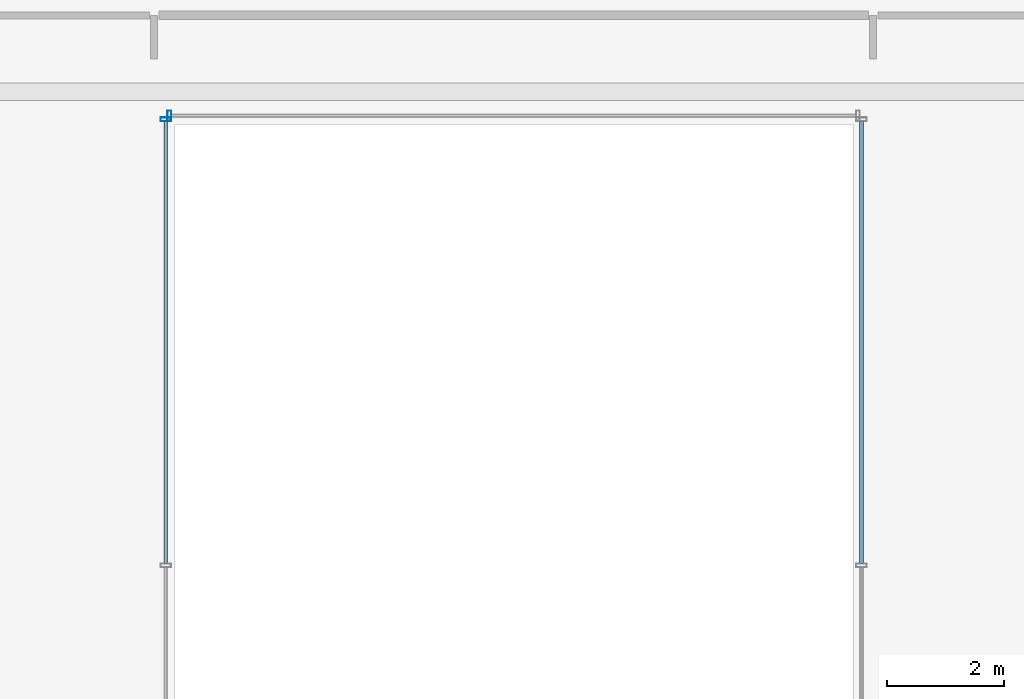
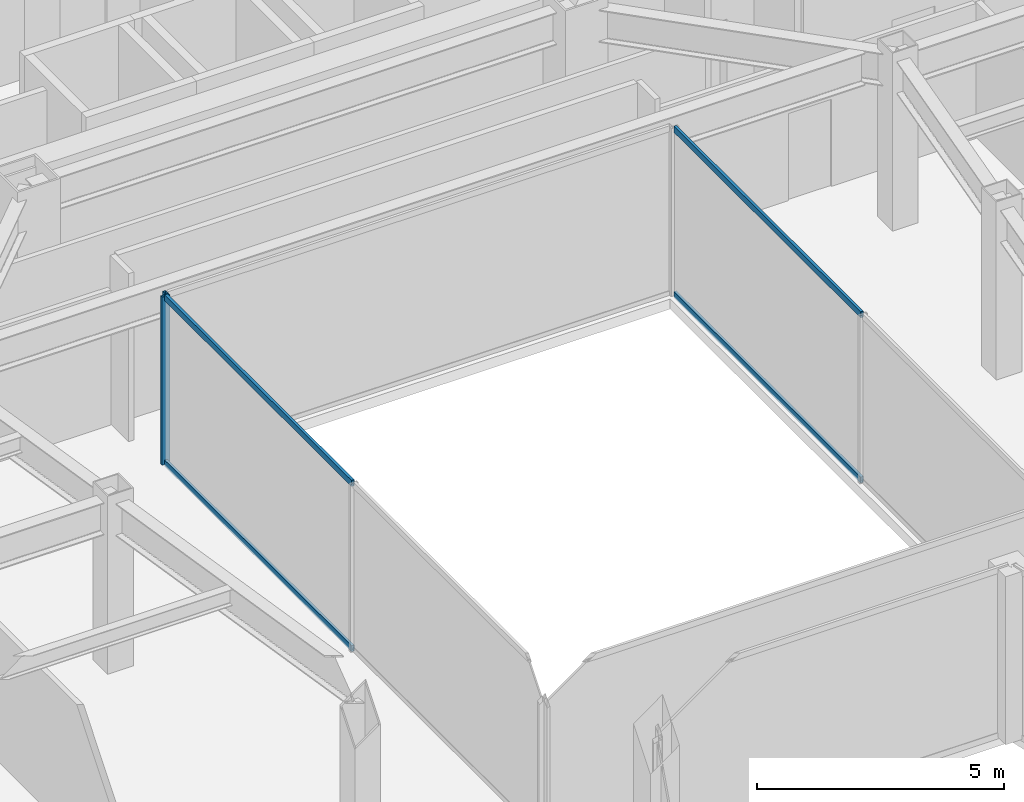
# One storey, part 12 of 37: 6 members, 3 elements without a shape of their own.
"""IFC4 building model written with IfcOpenShell, lengths in metres."""

from ifc_helpers import new_model, si_unit, direction, frame, origin, origin_2d, place, context, subcontext, project, spatial, hollow_rectangle, extrude, material, material_profile, profile_set, type_object, element, aggregate, save


model = new_model("IFC4")

# Units and contexts
model_context = context("Model", 3, precision=1e-05, world=origin(), true_north=direction((0.0, 1.0)))
body_context = subcontext(model_context, "Body", "Model", "MODEL_VIEW")
ifc_project = project(units=[si_unit("LENGTHUNIT", "METRE"), si_unit("AREAUNIT", "SQUARE_METRE"), si_unit("VOLUMEUNIT", "CUBIC_METRE"), si_unit("PLANEANGLEUNIT", "RADIAN"), si_unit("MASSUNIT", "GRAM", prefix="KILO")], contexts=[model_context])

# Site, building, storey
site_placement = place(None, origin())
site = spatial("IfcSite", under=ifc_project, at=site_placement, CompositionType="ELEMENT")
building_placement = place(site_placement, origin())
building = spatial("IfcBuilding", under=site, at=building_placement, Name="Saevonmaru Cultural Tower", CompositionType="ELEMENT")
storey_placement = place(building_placement, frame((0.0, 0.0, 110.39990234375)))
storey = spatial("IfcBuildingStorey", under=building, at=storey_placement, Name="L23", CompositionType="ELEMENT", Elevation=110.39990234375)

# Curtain wall, member
ifc_material = material(Name="Satin Bronze Anodised Aluminium", Category="aluminium")
curtain_wall_type = type_object("IfcCurtainWallType", Name="CW-ATR-GLZ", PredefinedType="NOTDEFINED", material=ifc_material)
curtain_wall_1_placement = place(storey_placement, origin())
curtain_wall_1 = element("IfcCurtainWall", 1, at=curtain_wall_1_placement, inside=storey, type_object=curtain_wall_type, Name="L23 Vertical Atrium Glazed Smoke Screen 3", PredefinedType="NOTDEFINED")
ifc_material_profile_1 = material_profile(ifc_material, hollow_rectangle(XDim=0.06494140625, YDim=0.179931640625, WallThickness=0.00390625, at=origin_2d()), Name="ALU-MULL-180x65x4")
ifc_profile_set_1 = profile_set([ifc_material_profile_1], Name="Satin Bronze Anodised Aluminium")
member_type_1 = type_object("IfcMemberType", Name="ML-CW-INT-180x65", PredefinedType="MULLION", material=ifc_profile_set_1)
member_1_placement = place(storey_placement, frame((24.110107421875, 37.6298828125, 0.0), z_axis=(0.0, 0.0, 1.0), x_axis=(-1.0, 0.0, 0.0)))
member_1 = element("IfcMember", 2, at=member_1_placement, type_object=member_type_1, Name="CW-ATR-L23-3 mullion 2", PredefinedType="MULLION", context=body_context, shape_type="SweptSolid", body=[
    extrude(hollow_rectangle(XDim=0.06494140625, YDim=0.179931640625, WallThickness=0.00390625, at=origin_2d()), origin(), (0.0, 0.0, 1.0), 4.150146484375),
])
aggregate(curtain_wall_1, [member_1])

curtain_wall_2_placement = place(storey_placement, origin())
curtain_wall_2 = element("IfcCurtainWall", 3, at=curtain_wall_2_placement, inside=storey, type_object=curtain_wall_type, Name="L23 Vertical Atrium Glazed Smoke Screen 4", PredefinedType="NOTDEFINED")
member_2_placement = place(storey_placement, frame((24.050048828125, 37.570068359375, 0.0), z_axis=(0.0, 0.0, 1.0), x_axis=(0.0, -1.0, 0.0)))
member_2 = element("IfcMember", 4, at=member_2_placement, type_object=member_type_1, Name="CW-ATR-L23-4 mullion 1", PredefinedType="MULLION", context=body_context, shape_type="SweptSolid", body=[
    extrude(hollow_rectangle(XDim=0.06494140625, YDim=0.179931640625, WallThickness=0.00390625, at=origin_2d()), origin(), (0.0, 0.0, 1.0), 4.150146484375),
])

# Curtain wall, members
curtain_wall_3_placement = place(storey_placement, origin())
curtain_wall_3 = element("IfcCurtainWall", 5, at=curtain_wall_3_placement, inside=storey, type_object=curtain_wall_type, Name="L23 Vertical Atrium Glazed Smoke Screen 2", PredefinedType="NOTDEFINED")
ifc_material_profile_2 = material_profile(ifc_material, hollow_rectangle(XDim=0.06494140625, YDim=0.14990234375, WallThickness=0.00390625, at=origin_2d()), Name="ALU-TRAN-150x65x4")
ifc_profile_set_2 = profile_set([ifc_material_profile_2], Name="Satin Bronze Anodised Aluminium")
member_type_2 = type_object("IfcMemberType", Name="TR-CW-INT-150x65", PredefinedType="USERDEFINED", material=ifc_profile_set_2)
member_3_placement = place(storey_placement, frame((35.949951171875, 29.972412109375, 0.03271484375), z_axis=(0.0, 1.0, 0.0), x_axis=(-1.0, 0.0, 0.0)))
member_3 = element("IfcMember", 6, at=member_3_placement, type_object=member_type_2, Name="CW-ATR-L23-2 transom 2.1", ObjectType="TRANSOM", PredefinedType="USERDEFINED", context=body_context, shape_type="SweptSolid", body=[
    extrude(hollow_rectangle(XDim=0.06494140625, YDim=0.14990234375, WallThickness=0.00390625, at=origin_2d()), origin(), (0.0, 0.0, 1.0), 7.565185546875),
])
member_4_placement = place(storey_placement, frame((35.949951171875, 29.972412109375, 4.11767578125), z_axis=(0.0, 1.0, 0.0), x_axis=(-1.0, 0.0, 0.0)))
member_4 = element("IfcMember", 7, at=member_4_placement, type_object=member_type_2, Name="CW-ATR-L23-2 transom 2.2", ObjectType="TRANSOM", PredefinedType="USERDEFINED", context=body_context, shape_type="SweptSolid", body=[
    extrude(hollow_rectangle(XDim=0.06494140625, YDim=0.14990234375, WallThickness=0.00390625, at=origin_2d()), origin(), (0.0, 0.0, 1.0), 7.565185546875),
])
aggregate(curtain_wall_3, [member_3, member_4])

# Member
member_5_placement = place(storey_placement, frame((24.050048828125, 37.53759765625, 0.03271484375), z_axis=(0.0, -1.0, 0.0), x_axis=(1.0, 0.0, 0.0)))
member_5 = element("IfcMember", 8, at=member_5_placement, type_object=member_type_2, Name="CW-ATR-L23-4 transom 1.1", ObjectType="TRANSOM", PredefinedType="USERDEFINED", context=body_context, shape_type="SweptSolid", body=[
    extrude(hollow_rectangle(XDim=0.06494140625, YDim=0.14990234375, WallThickness=0.00390625, at=origin_2d()), origin(), (0.0, 0.0, 1.0), 7.565185546875),
])

member_6_placement = place(storey_placement, frame((24.050048828125, 37.53759765625, 4.11767578125), z_axis=(0.0, -1.0, 0.0), x_axis=(1.0, 0.0, 0.0)))
member_6 = element("IfcMember", 9, at=member_6_placement, type_object=member_type_2, Name="CW-ATR-L23-4 transom 1.2", ObjectType="TRANSOM", PredefinedType="USERDEFINED", context=body_context, shape_type="SweptSolid", body=[
    extrude(hollow_rectangle(XDim=0.06494140625, YDim=0.14990234375, WallThickness=0.00390625, at=origin_2d()), origin(), (0.0, 0.0, 1.0), 7.565185546875),
])

aggregate(curtain_wall_2, [member_2, member_5, member_6])

save(model, "model.ifc")
